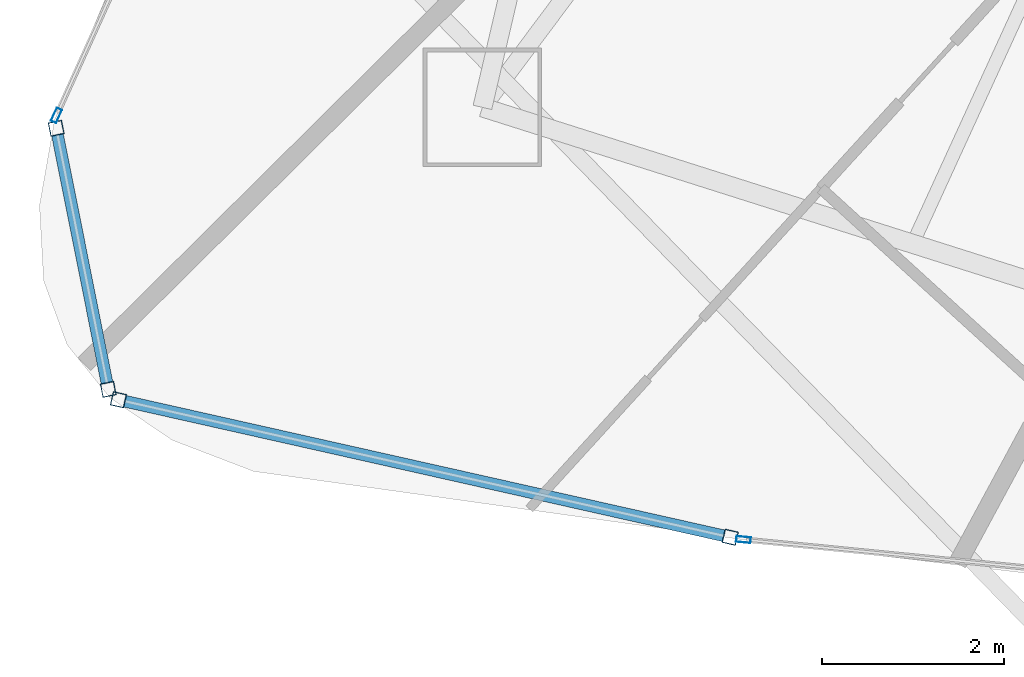
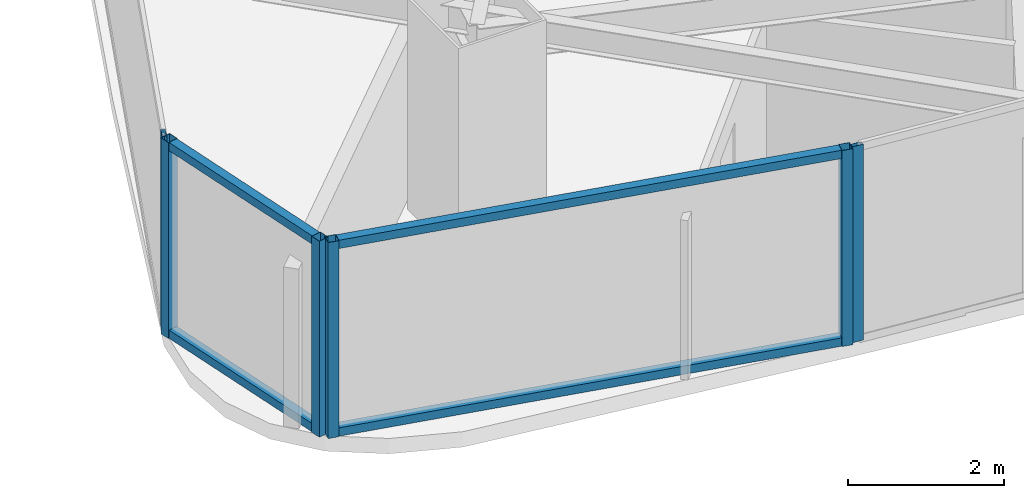
# One storey, part 2 of 34: 10 members, 4 elements without a shape of their own.
"""IFC4 building model written with IfcOpenShell, lengths in metres."""

from ifc_helpers import new_model, si_unit, direction, frame, origin, origin_2d, place, context, subcontext, project, spatial, hollow_rectangle, extrude, material, layer, layer_set, material_profile, profile_set, type_object, element, aggregate, save


model = new_model("IFC4")

# Units and contexts
model_context = context("Model", 3, precision=1e-05, world=origin(), true_north=direction((0.0, 1.0)))
body_context = subcontext(model_context, "Body", "Model", "MODEL_VIEW")
ifc_project = project(units=[si_unit("LENGTHUNIT", "METRE"), si_unit("AREAUNIT", "SQUARE_METRE"), si_unit("VOLUMEUNIT", "CUBIC_METRE"), si_unit("PLANEANGLEUNIT", "RADIAN"), si_unit("MASSUNIT", "GRAM", prefix="KILO")], contexts=[model_context])

# Site, building, storey
site_placement = place(None, origin())
site = spatial("IfcSite", under=ifc_project, at=site_placement, CompositionType="ELEMENT")
building_placement = place(site_placement, origin())
building = spatial("IfcBuilding", under=site, at=building_placement, Name="Orvanel Arch Residences", CompositionType="ELEMENT")
storey_placement = place(building_placement, frame((0.0, 0.0, 203.0)))
storey = spatial("IfcBuildingStorey", under=building, at=storey_placement, Name="L57", CompositionType="ELEMENT", Elevation=203.0)

# Curtain wall, members
ifc_material = material(Name="Bronze-anodised aluminium AA6063-T6", Category="aluminium")
ifc_layer_1 = layer(ifc_material, 0.18994140625)
ifc_layer_set_1 = layer_set([ifc_layer_1], Name="Bronze-anodised aluminium AA6063-T6")
curtain_wall_type_1 = type_object("IfcCurtainWallType", Name="CW5-CRN-SYS", PredefinedType="NOTDEFINED", material=ifc_layer_set_1)
curtain_wall_1_placement = place(storey_placement, origin())
curtain_wall_1 = element("IfcCurtainWall", 1, at=curtain_wall_1_placement, inside=storey, type_object=curtain_wall_type_1, Name="L57 CW5-CRN-SYS Unitised Curtain Wall", PredefinedType="NOTDEFINED")
ifc_material_profile_1 = material_profile(ifc_material, hollow_rectangle(XDim=0.14990234375, YDim=0.14990234375, WallThickness=0.0048828125, at=origin_2d()), Name="ALU150x150x5")
ifc_profile_set_1 = profile_set([ifc_material_profile_1], Name="Bronze-anodised aluminium AA6063-T6")
member_type_1 = type_object("IfcMemberType", Name="MUL-150x150", PredefinedType="MULLION", material=ifc_profile_set_1)
member_1_placement = place(storey_placement, frame((9.517578125, 10.121337890625, 0.0), z_axis=(0.0, 0.0, 1.0), x_axis=(0.980705582129, 0.195490565454, 0.0)))
member_1 = element("IfcMember", 2, at=member_1_placement, type_object=member_type_1, Name="CW-S5 mullion 1", PredefinedType="MULLION", context=body_context, shape_type="SweptSolid", body=[
    extrude(hollow_rectangle(XDim=0.14990234375, YDim=0.14990234375, WallThickness=0.0048828125, at=origin_2d()), origin(), (0.0, 0.0, 1.0), 3.06005859375),
])
member_2_placement = place(storey_placement, frame((10.08935546875, 7.253662109375, 0.0), z_axis=(0.0, 0.0, 1.0), x_axis=(0.980705582129, 0.195490565454, 0.0)))
member_2 = element("IfcMember", 3, at=member_2_placement, type_object=member_type_1, Name="CW-S5 mullion 2", PredefinedType="MULLION", context=body_context, shape_type="SweptSolid", body=[
    extrude(hollow_rectangle(XDim=0.14990234375, YDim=0.14990234375, WallThickness=0.0048828125, at=origin_2d()), origin(), (0.0, 0.0, 1.0), 3.06005859375),
])

curtain_wall_2_placement = place(storey_placement, origin())
curtain_wall_2 = element("IfcCurtainWall", 4, at=curtain_wall_2_placement, inside=storey, type_object=curtain_wall_type_1, Name="L57 CW5-CRN-SYS Unitised Curtain Wall", PredefinedType="NOTDEFINED")
member_3_placement = place(storey_placement, frame((10.201171875, 7.1396484375, 0.0), z_axis=(0.0, 0.0, 1.0), x_axis=(0.219261968278, 0.975666023426, 0.0)))
member_3 = element("IfcMember", 5, at=member_3_placement, type_object=member_type_1, Name="CW-S5 mullion 1", PredefinedType="MULLION", context=body_context, shape_type="SweptSolid", body=[
    extrude(hollow_rectangle(XDim=0.14990234375, YDim=0.14990234375, WallThickness=0.0048828125, at=origin_2d()), origin(), (0.0, 0.0, 1.0), 3.06005859375),
])
member_4_placement = place(storey_placement, frame((16.9208984375, 5.62939453125, 0.0), z_axis=(0.0, 0.0, 1.0), x_axis=(0.219261968278, 0.975666023426, 0.0)))
member_4 = element("IfcMember", 6, at=member_4_placement, type_object=member_type_1, Name="CW-S5 mullion 2", PredefinedType="MULLION", context=body_context, shape_type="SweptSolid", body=[
    extrude(hollow_rectangle(XDim=0.14990234375, YDim=0.14990234375, WallThickness=0.0048828125, at=origin_2d()), origin(), (0.0, 0.0, 1.0), 3.06005859375),
])

# Curtain wall, member
ifc_layer_2 = layer(ifc_material, 0.175048828125)
ifc_layer_set_2 = layer_set([ifc_layer_2], Name="Bronze-anodised aluminium AA6063-T6")
curtain_wall_type_2 = type_object("IfcCurtainWallType", Name="CW4-HI-SYS", PredefinedType="NOTDEFINED", material=ifc_layer_set_2)
curtain_wall_3_placement = place(storey_placement, origin())
curtain_wall_3 = element("IfcCurtainWall", 7, at=curtain_wall_3_placement, inside=storey, type_object=curtain_wall_type_2, Name="L57 CW4-HI-SYS Unitised Curtain Wall", PredefinedType="NOTDEFINED")
ifc_material_profile_2 = material_profile(ifc_material, hollow_rectangle(XDim=0.06494140625, YDim=0.159912109375, WallThickness=0.00390625, at=origin_2d()), Name="ALU160x65x4")
ifc_profile_set_2 = profile_set([ifc_material_profile_2], Name="Bronze-anodised aluminium AA6063-T6")
member_type_2 = type_object("IfcMemberType", Name="MUL-160x65", PredefinedType="MULLION", material=ifc_profile_set_2)
member_5_placement = place(storey_placement, frame((9.520263671875, 10.2626953125, 0.0), z_axis=(0.0, 0.0, 1.0), x_axis=(0.911289439148, -0.41176638777, 0.0)))
member_5 = element("IfcMember", 8, at=member_5_placement, type_object=member_type_2, Name="CW-S4 mullion 3", PredefinedType="MULLION", context=body_context, shape_type="SweptSolid", body=[
    extrude(hollow_rectangle(XDim=0.06494140625, YDim=0.159912109375, WallThickness=0.00390625, at=origin_2d()), origin(), (0.0, 0.0, 1.0), 3.06005859375),
])
aggregate(curtain_wall_3, [member_5])

curtain_wall_4_placement = place(storey_placement, origin())
curtain_wall_4 = element("IfcCurtainWall", 9, at=curtain_wall_4_placement, inside=storey, type_object=curtain_wall_type_2, Name="L57 CW4-HI-SYS Unitised Curtain Wall", PredefinedType="NOTDEFINED")
member_6_placement = place(storey_placement, frame((17.06640625, 5.603759765625, 0.0), z_axis=(0.0, 0.0, 1.0), x_axis=(0.098417861591, 0.99514517761, 0.0)))
member_6 = element("IfcMember", 10, at=member_6_placement, type_object=member_type_2, Name="CW-S4 mullion 1", PredefinedType="MULLION", context=body_context, shape_type="SweptSolid", body=[
    extrude(hollow_rectangle(XDim=0.06494140625, YDim=0.159912109375, WallThickness=0.00390625, at=origin_2d()), origin(), (0.0, 0.0, 1.0), 3.06005859375),
])
aggregate(curtain_wall_4, [member_6])

# Member
ifc_material_profile_3 = material_profile(ifc_material, hollow_rectangle(XDim=0.1298828125, YDim=0.1298828125, WallThickness=0.00439453125, at=origin_2d()), Name="ALU130x130x4.5")
ifc_profile_set_3 = profile_set([ifc_material_profile_3], Name="Bronze-anodised aluminium AA6063-T6")
member_type_3 = type_object("IfcMemberType", Name="TRN-130x130", PredefinedType="USERDEFINED", material=ifc_profile_set_3)
member_7_placement = place(storey_placement, frame((9.5322265625, 10.0478515625, 0.06494140625), z_axis=(0.19554070292, -0.980695586562, 0.0), x_axis=(0.980695586562, 0.19554070292, 0.0)))
member_7 = element("IfcMember", 11, at=member_7_placement, type_object=member_type_3, Name="CW-S5 transom 1.1", ObjectType="TRANSOM", PredefinedType="USERDEFINED", context=body_context, shape_type="SweptSolid", body=[
    extrude(hollow_rectangle(XDim=0.1298828125, YDim=0.1298828125, WallThickness=0.00439453125, at=origin_2d()), origin(), (0.0, 0.0, 1.0), 2.774169921875),
])

member_8_placement = place(storey_placement, frame((9.5322265625, 10.0478515625, 2.9951171875), z_axis=(0.19554070292, -0.980695586562, 0.0), x_axis=(0.980695586562, 0.19554070292, 0.0)))
member_8 = element("IfcMember", 12, at=member_8_placement, type_object=member_type_3, Name="CW-S5 transom 1.2", ObjectType="TRANSOM", PredefinedType="USERDEFINED", context=body_context, shape_type="SweptSolid", body=[
    extrude(hollow_rectangle(XDim=0.1298828125, YDim=0.1298828125, WallThickness=0.00439453125, at=origin_2d()), origin(), (0.0, 0.0, 1.0), 2.774169921875),
])

aggregate(curtain_wall_1, [member_1, member_2, member_7, member_8])

member_9_placement = place(storey_placement, frame((10.2744140625, 7.123046875, 0.06494140625), z_axis=(0.975671027253, -0.219239701192, 0.0), x_axis=(0.219239701192, 0.975671027253, 0.0)))
member_9 = element("IfcMember", 13, at=member_9_placement, type_object=member_type_3, Name="CW-S5 transom 1.1", ObjectType="TRANSOM", PredefinedType="USERDEFINED", context=body_context, shape_type="SweptSolid", body=[
    extrude(hollow_rectangle(XDim=0.1298828125, YDim=0.1298828125, WallThickness=0.00439453125, at=origin_2d()), origin(), (0.0, 0.0, 1.0), 6.737060546875),
])

member_10_placement = place(storey_placement, frame((10.2744140625, 7.123046875, 2.9951171875), z_axis=(0.975671027253, -0.219239701192, 0.0), x_axis=(0.219239701192, 0.975671027253, 0.0)))
member_10 = element("IfcMember", 14, at=member_10_placement, type_object=member_type_3, Name="CW-S5 transom 1.2", ObjectType="TRANSOM", PredefinedType="USERDEFINED", context=body_context, shape_type="SweptSolid", body=[
    extrude(hollow_rectangle(XDim=0.1298828125, YDim=0.1298828125, WallThickness=0.00439453125, at=origin_2d()), origin(), (0.0, 0.0, 1.0), 6.737060546875),
])

aggregate(curtain_wall_2, [member_3, member_4, member_9, member_10])

save(model, "model.ifc")
